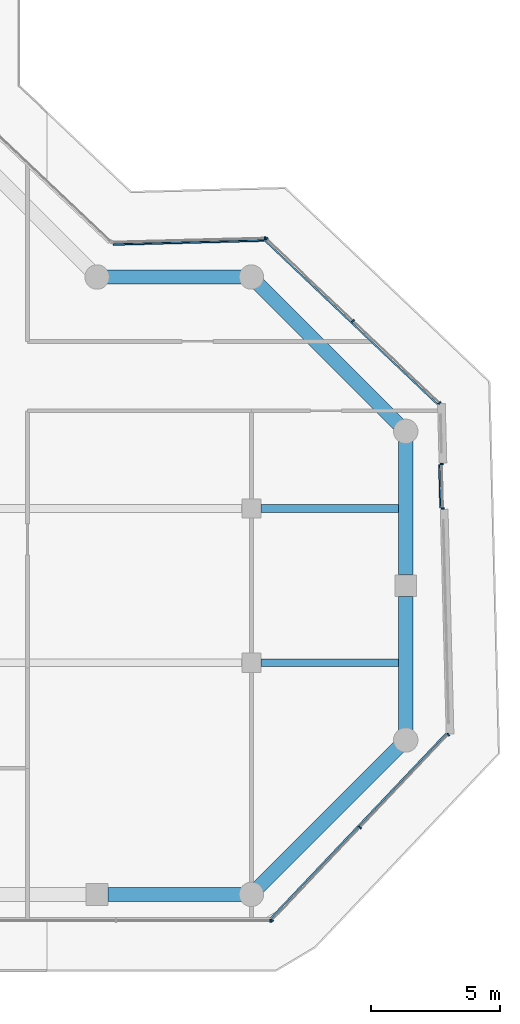
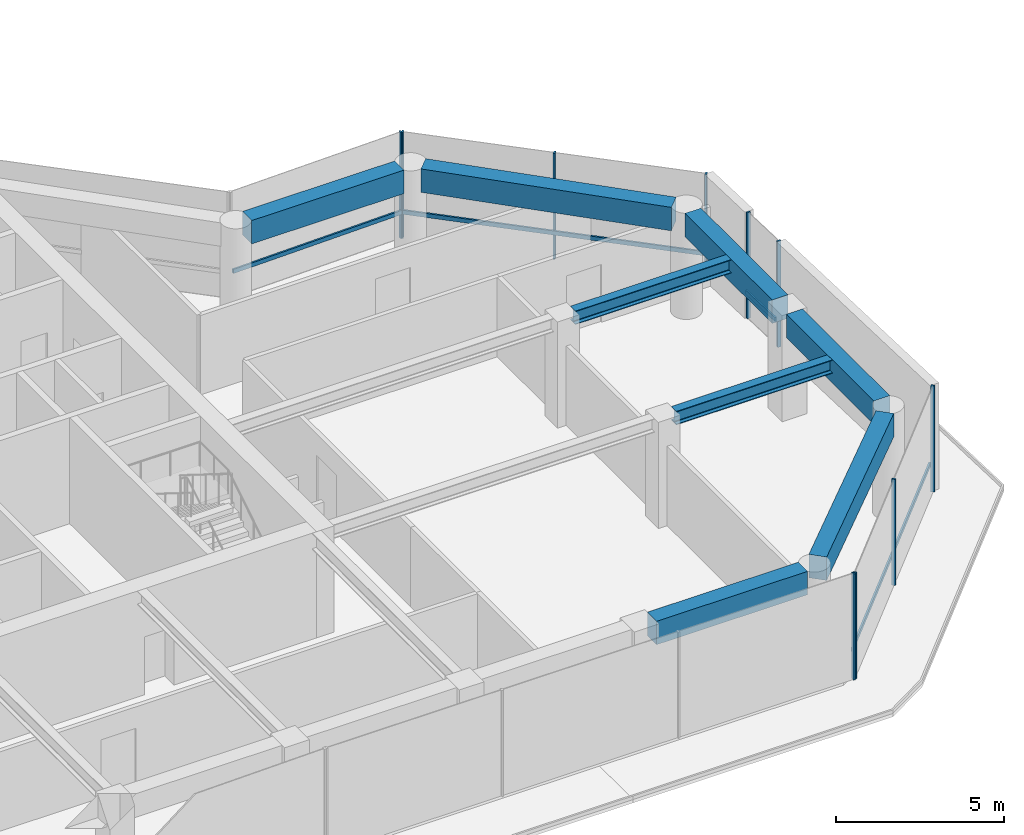
# One storey, part 6 of 20: 14 members, 8 beams, 5 elements without a shape of their own.
"""IFC4 building model written with IfcOpenShell, lengths in metres."""

import ifcopenshell
import ifcopenshell.guid

model = None  # the IFC model being written
_history = None  # IfcOwnerHistory: only IFC2X3 demands one
_inside = {}  # id of a spatial element -> (the spatial element, [elements in it])
_under = {}  # id of a project, library or spatial element -> (it, [spatial elements below it])
_declared = {}  # id of a project -> (the project, [libraries it declares])
_typed = {}  # id of a type object -> (the type object, [elements of that type])
_made_of = {}  # id of a material, layer set ... -> (it, [elements and type objects made of it])


def new_model(schema):
    """Start an empty IFC model of exactly this schema.

    Asked for "IFC4X3", IfcOpenShell would pick the latest addendum, in which some entities
    have other attributes; the version numbers below select the first issue.
    IFC2X3 requires an IfcOwnerHistory on every rooted entity: one is made here for all.
    """
    global model, _history
    if schema == "IFC4X3":
        model = ifcopenshell.file(schema_version=(4, 3, 0, 0))
    else:
        model = ifcopenshell.file(schema=schema)
    _inside.clear()
    _under.clear()
    _declared.clear()
    _typed.clear()
    _made_of.clear()
    _history = None
    if model.schema == "IFC2X3":
        org = make("IfcOrganization", Name="unknown")
        user = make(
            "IfcPersonAndOrganization",
            ThePerson=make("IfcPerson", FamilyName="unknown"),
            TheOrganization=org,
        )
        app = make(
            "IfcApplication",
            ApplicationDeveloper=org,
            Version="unknown",
            ApplicationFullName="unknown",
            ApplicationIdentifier="unknown",
        )
        _history = make(
            "IfcOwnerHistory",
            OwningUser=user,
            OwningApplication=app,
            ChangeAction="ADDED",
            CreationDate=0,
        )
    return model


def make(cls, **values):
    """One entity of the class cls with the attributes given. An attribute that is None is left unset."""
    return model.create_entity(
        cls, **{name: value for name, value in values.items() if value is not None}
    )


def rooted(cls, **values):
    """An entity with a GlobalId (a new one), such as an element, a storey or a relation."""
    return make(cls, GlobalId=ifcopenshell.guid.new(), OwnerHistory=_history, **values)


def si_unit(unit_type, name, prefix=None):
    """IfcSIUnit, for example si_unit("LENGTHUNIT", "METRE", prefix="MILLI")."""
    return make("IfcSIUnit", UnitType=unit_type, Prefix=prefix, Name=name)


def assignment(units):
    """IfcUnitAssignment: the units of a project."""
    return None if units is None else make("IfcUnitAssignment", Units=units)


def point(xyz):
    """IfcCartesianPoint."""
    return None if xyz is None else make("IfcCartesianPoint", Coordinates=xyz)


def direction(xyz):
    """IfcDirection."""
    return None if xyz is None else make("IfcDirection", DirectionRatios=xyz)


def frame(location, z_axis=None, x_axis=None):
    """IfcAxis2Placement3D, a coordinate frame: its origin and axes. An axis left out is left unset."""
    return make(
        "IfcAxis2Placement3D",
        Location=point(location),
        Axis=direction(z_axis),
        RefDirection=direction(x_axis),
    )


def frame_2d(location, x_axis=None):
    """IfcAxis2Placement2D, a coordinate frame in the plane: its origin and x axis."""
    return make(
        "IfcAxis2Placement2D", Location=point(location), RefDirection=direction(x_axis)
    )


def origin():
    """The frame at (0, 0, 0) with its axes left unset."""
    return frame((0.0, 0.0, 0.0))


def origin_2d():
    """The frame at (0, 0) in the plane with its x axis left unset."""
    return frame_2d((0.0, 0.0))


def place(relative_to, where):
    """IfcLocalPlacement: puts the frame where relative to a parent placement (None: the world)."""
    return make(
        "IfcLocalPlacement", PlacementRelTo=relative_to, RelativePlacement=where
    )


def context(
    kind, dimensions, precision=None, world=None, true_north=None, identifier=None
):
    """IfcGeometricRepresentationContext, for example the 3D "Model" context."""
    return make(
        "IfcGeometricRepresentationContext",
        ContextIdentifier=identifier,
        ContextType=kind,
        CoordinateSpaceDimension=dimensions,
        Precision=precision,
        WorldCoordinateSystem=world,
        TrueNorth=true_north,
    )


def subcontext(parent, identifier, kind, view, scale=None):
    """IfcGeometricRepresentationSubContext, for example "Body" below "Model"."""
    return make(
        "IfcGeometricRepresentationSubContext",
        ContextIdentifier=identifier,
        ContextType=kind,
        ParentContext=parent,
        TargetScale=scale,
        TargetView=view,
    )


def project(units=None, contexts=None):
    """IfcProject with its units and contexts."""
    return rooted(
        "IfcProject",
        Name="project",
        RepresentationContexts=contexts,
        UnitsInContext=assignment(units),
    )


def spatial(cls, under=None, at=None, **own):
    """A site, building, storey or space (cls), placed at a placement, below another one or the project."""
    s = rooted(cls, ObjectPlacement=at, **own)
    if under is not None:
        _under.setdefault(under.id(), (under, []))[1].append(s)
    return s


def profile(cls, at=None, kind="AREA", **sizes):
    """A parametric profile (cls). Its sizes go by their IFC names, for example OverallWidth=200.0."""
    return make(cls, ProfileType=kind, Position=at, **sizes)


def rectangle(**sizes):
    """IfcRectangleProfileDef."""
    return profile("IfcRectangleProfileDef", **sizes)


def i_section(**sizes):
    """IfcIShapeProfileDef."""
    return profile("IfcIShapeProfileDef", **sizes)


def extrude(swept, where, along, depth):
    """IfcExtrudedAreaSolid: the profile swept, set in the frame where, extruded along a direction by depth."""
    return make(
        "IfcExtrudedAreaSolid",
        SweptArea=swept,
        Position=where,
        ExtrudedDirection=direction(along),
        Depth=depth,
    )


def shape(context_of_items, identifier, shape_type, items):
    """IfcShapeRepresentation: the items that make up one representation, for example the "Body"."""
    return make(
        "IfcShapeRepresentation",
        ContextOfItems=context_of_items,
        RepresentationIdentifier=identifier,
        RepresentationType=shape_type,
        Items=items,
    )


def material(Name=None, Category=None):
    """IfcMaterial."""
    return make("IfcMaterial", Name=Name, Category=Category)


def layer(
    of_material, thickness, ventilated=None, Name=None, Category=None, Priority=None
):
    """IfcMaterialLayer: one layer of a wall or slab, of a material (None: an air gap)."""
    return make(
        "IfcMaterialLayer",
        Material=of_material,
        LayerThickness=thickness,
        IsVentilated=ventilated,
        Name=Name,
        Category=Category,
        Priority=Priority,
    )


def layer_set(layers, Name=None):
    """IfcMaterialLayerSet."""
    return make("IfcMaterialLayerSet", MaterialLayers=layers, LayerSetName=Name)


def material_profile(
    of_material, cross_section, Name=None, Category=None, Priority=None
):
    """IfcMaterialProfile: a cross section and its material."""
    return make(
        "IfcMaterialProfile",
        Name=Name,
        Material=of_material,
        Profile=cross_section,
        Priority=Priority,
        Category=Category,
    )


def profile_set(profiles, Name=None, composite=None):
    """IfcMaterialProfileSet."""
    return make(
        "IfcMaterialProfileSet",
        Name=Name,
        MaterialProfiles=profiles,
        CompositeProfile=composite,
    )


def made_of(thing, what):
    """Note that an element or type object is made of a material, layer set ...; save() writes the relation."""
    if what is not None:
        _made_of.setdefault(what.id(), (what, []))[1].append(thing)
    return thing


def type_object(cls, material=None, **own):
    """A type object (cls), such as IfcWallType, which elements share."""
    return made_of(rooted(cls, **own), material)


def element(
    cls,
    number,
    at=None,
    inside=None,
    cuts=None,
    type_object=None,
    material=None,
    context=None,
    identifier="Body",
    shape_type=None,
    held_by="IfcProductDefinitionShape",
    body=None,
    shapes=None,
    **own,
):
    """One element of the class cls, such as IfcWall. Its Tag is "e" and its number.

    at: its placement. inside: the storey or other place that contains it. cuts: it is an
    opening in that element (IfcRelVoidsElement). A single representation is given by context,
    identifier, shape_type and body (its items); several are given by shapes. held_by: the class
    of the entity that holds the representations. save() writes the other relations.
    """
    e = rooted(cls, Tag="e%d" % number, ObjectPlacement=at, **own)
    if body is not None:
        shapes = [shape(context, identifier, shape_type, body)]
    if shapes is not None:
        e.Representation = make(held_by, Representations=shapes)
    if inside is not None:
        _inside.setdefault(inside.id(), (inside, []))[1].append(e)
    if cuts is not None:
        rooted(
            "IfcRelVoidsElement", RelatingBuildingElement=cuts, RelatedOpeningElement=e
        )
    if type_object is not None:
        _typed.setdefault(type_object.id(), (type_object, []))[1].append(e)
    return made_of(e, material)


def aggregate(whole, parts):
    """IfcRelAggregates: a whole, such as a stair, and the parts it consists of."""
    return rooted("IfcRelAggregates", RelatingObject=whole, RelatedObjects=parts)


def save(model, path):
    """Write the relations noted so far, then the file.

    IfcRelAggregates (storeys below a building ...), IfcRelContainedInSpatialStructure (elements
    in a storey), IfcRelDefinesByType, IfcRelAssociatesMaterial and IfcRelDeclares: one each for
    every whole, place, type object, material and project.
    """
    for whole, parts in _under.values():
        aggregate(whole, parts)
    for where, things in _inside.values():
        rooted(
            "IfcRelContainedInSpatialStructure",
            RelatedElements=things,
            RelatingStructure=where,
        )
    for kind, things in _typed.values():
        rooted("IfcRelDefinesByType", RelatedObjects=things, RelatingType=kind)
    for what, things in _made_of.values():
        rooted("IfcRelAssociatesMaterial", RelatedObjects=things, RelatingMaterial=what)
    for by, libraries in _declared.values():
        rooted("IfcRelDeclares", RelatingContext=by, RelatedDefinitions=libraries)
    model.write(path)


model = new_model("IFC4")

# Units and contexts
model_context = context("Model", 3, precision=1e-05, world=origin(), true_north=direction((0.0, 1.0)))
body_context = subcontext(model_context, "Body", "Model", "MODEL_VIEW")
ifc_project = project(units=[si_unit("LENGTHUNIT", "METRE"), si_unit("AREAUNIT", "SQUARE_METRE"), si_unit("VOLUMEUNIT", "CUBIC_METRE"), si_unit("PLANEANGLEUNIT", "RADIAN"), si_unit("MASSUNIT", "GRAM", prefix="KILO")], contexts=[model_context])

# Site, building, storey
site_placement = place(None, origin())
site = spatial("IfcSite", under=ifc_project, at=site_placement, CompositionType="ELEMENT")
building_placement = place(site_placement, origin())
building = spatial("IfcBuilding", under=site, at=building_placement, Name="Welwitschia Terrace Campus", CompositionType="ELEMENT")
storey_placement = place(building_placement, frame((0.0, 0.0, 176.0)))
storey = spatial("IfcBuildingStorey", under=building, at=storey_placement, Name="L39", CompositionType="ELEMENT", Elevation=176.0)

# Beams
ifc_material_1 = material(Name="Steel S355", Category="steel")
ifc_material_profile_1 = material_profile(ifc_material_1, i_section(OverallWidth=0.300048828125, OverallDepth=0.489990234375, WebThickness=0.011962890625, FlangeThickness=0.02294921875, FilletRadius=0.027099609375, at=origin_2d()))
ifc_profile_set_1 = profile_set([ifc_material_profile_1], Name="Steel S355")
beam_type_1 = type_object("IfcBeamType", Name="Interior girder HE 500 A", PredefinedType="BEAM", material=ifc_profile_set_1)
for number, where, z_axis, x_axis, name in (
    (1, (36.37548828125, 5.0, 3.60498046875), (1.0, 0.0, 0.0), (0.0, 1.0, 0.0), "Girder GB4"),
    (2, (36.37548828125, 11.0, 3.60498046875), (1.0, 0.0, 0.0), (0.0, 1.0, 0.0), "Girder GB4"),
):
    element("IfcBeam", number, at=place(storey_placement, frame(where, z_axis=z_axis, x_axis=x_axis)), inside=storey, type_object=beam_type_1, Name=name, PredefinedType="BEAM", context=body_context, shape_type="SweptSolid", body=[
        extrude(i_section(OverallWidth=0.300048828125, OverallDepth=0.489990234375, WebThickness=0.011962890625, FlangeThickness=0.02294921875, FilletRadius=0.027099609375, at=origin_2d()), origin(), (0.0, 0.0, 1.0), 5.634521484375),
    ])

# Curtain wall, member
ifc_material_2 = material(Name="Bronze anodised aluminium", Category="aluminium")
ifc_layer = layer(ifc_material_2, 0.1201171875)
ifc_layer_set = layer_set([ifc_layer], Name="Bronze anodised aluminium")
curtain_wall_type = type_object("IfcCurtainWallType", Name="Curtain wall CW2 tower 6000", PredefinedType="NOTDEFINED", material=ifc_layer_set)
curtain_wall_1_placement = place(storey_placement, origin())
curtain_wall_1 = element("IfcCurtainWall", 3, at=curtain_wall_1_placement, inside=storey, type_object=curtain_wall_type, Name="CW L39.3.0", PredefinedType="NOTDEFINED")
ifc_material_3 = material(Name="Bronze anodised aluminium", Category="aluminium")
ifc_material_profile_2 = material_profile(ifc_material_3, rectangle(XDim=0.1201171875, YDim=0.06005859375, at=origin_2d()))
ifc_profile_set_2 = profile_set([ifc_material_profile_2], Name="Bronze anodised aluminium")
member_type_1 = type_object("IfcMemberType", Name="Mullion 60x120", PredefinedType="MULLION", material=ifc_profile_set_2)
member_1_placement = place(storey_placement, frame((36.751708984375, -5.030029296875, 0.0), z_axis=(0.0, 0.0, 1.0), x_axis=(0.0, 1.0, 0.0)))
member_1 = element("IfcMember", 4, at=member_1_placement, type_object=member_type_1, Name="Mullion L39.3.0.3", PredefinedType="MULLION", context=body_context, shape_type="SweptSolid", body=[
    extrude(rectangle(XDim=0.1201171875, YDim=0.06005859375, at=origin_2d()), origin(), (0.0, 0.0, 1.0), 3.85009765625),
])
aggregate(curtain_wall_1, [member_1])

# Curtain wall, members
curtain_wall_2_placement = place(storey_placement, origin())
curtain_wall_2 = element("IfcCurtainWall", 5, at=curtain_wall_2_placement, inside=storey, type_object=curtain_wall_type, Name="CW L39.4.0", PredefinedType="NOTDEFINED")
member_2_placement = place(storey_placement, frame((36.802490234375, -5.00830078125, 0.0), z_axis=(0.0, 0.0, 1.0), x_axis=(-0.725374371012, 0.688354575694, 0.0)))
member_2 = element("IfcMember", 6, at=member_2_placement, type_object=member_type_1, Name="Mullion L39.4.0.0", PredefinedType="MULLION", context=body_context, shape_type="SweptSolid", body=[
    extrude(rectangle(XDim=0.1201171875, YDim=0.06005859375, at=origin_2d()), origin(), (0.0, 0.0, 1.0), 3.85009765625),
])
member_3_placement = place(storey_placement, frame((40.227294921875, -1.399169921875, 0.0), z_axis=(0.0, 0.0, 1.0), x_axis=(-0.725374371012, 0.688354575694, 0.0)))
member_3 = element("IfcMember", 7, at=member_3_placement, type_object=member_type_1, Name="Mullion L39.4.0.1", PredefinedType="MULLION", context=body_context, shape_type="SweptSolid", body=[
    extrude(rectangle(XDim=0.1201171875, YDim=0.06005859375, at=origin_2d()), origin(), (0.0, 0.0, 1.0), 3.85009765625),
])
member_4_placement = place(storey_placement, frame((43.652099609375, 2.209716796875, 0.0), z_axis=(0.0, 0.0, 1.0), x_axis=(-0.725374371012, 0.688354575694, 0.0)))
member_4 = element("IfcMember", 8, at=member_4_placement, type_object=member_type_1, Name="Mullion L39.4.0.2", PredefinedType="MULLION", context=body_context, shape_type="SweptSolid", body=[
    extrude(rectangle(XDim=0.1201171875, YDim=0.06005859375, at=origin_2d()), origin(), (0.0, 0.0, 1.0), 3.85009765625),
])

curtain_wall_3_placement = place(storey_placement, origin())
curtain_wall_3 = element("IfcCurtainWall", 9, at=curtain_wall_3_placement, inside=storey, type_object=curtain_wall_type, Name="CW L39.5.S0", PredefinedType="NOTDEFINED")
member_5_placement = place(storey_placement, frame((43.443115234375, 10.99853515625, 0.0), z_axis=(0.0, 0.0, 1.0), x_axis=(-0.999657324976, -0.026176948308, 0.0)))
member_5 = element("IfcMember", 10, at=member_5_placement, type_object=member_type_1, Name="Mullion L39.5.S0.0", PredefinedType="MULLION", context=body_context, shape_type="SweptSolid", body=[
    extrude(rectangle(XDim=0.1201171875, YDim=0.06005859375, at=origin_2d()), origin(), (0.0, 0.0, 1.0), 3.85009765625),
])
member_6_placement = place(storey_placement, frame((43.3974609375, 12.73779296875, 0.0), z_axis=(0.0, 0.0, 1.0), x_axis=(-0.999657324976, -0.026176948308, 0.0)))
member_6 = element("IfcMember", 11, at=member_6_placement, type_object=member_type_1, Name="Mullion L39.5.S0.1", PredefinedType="MULLION", context=body_context, shape_type="SweptSolid", body=[
    extrude(rectangle(XDim=0.1201171875, YDim=0.06005859375, at=origin_2d()), origin(), (0.0, 0.0, 1.0), 3.85009765625),
])

curtain_wall_4_placement = place(storey_placement, origin())
curtain_wall_4 = element("IfcCurtainWall", 12, at=curtain_wall_4_placement, inside=storey, type_object=curtain_wall_type, Name="CW L39.6.0", PredefinedType="NOTDEFINED")
member_7_placement = place(storey_placement, frame((43.314453125, 15.10107421875, 0.0), z_axis=(0.0, 0.0, 1.0), x_axis=(-0.688354575694, -0.725374371012, 0.0)))
member_7 = element("IfcMember", 13, at=member_7_placement, type_object=member_type_1, Name="Mullion L39.6.0.0", PredefinedType="MULLION", context=body_context, shape_type="SweptSolid", body=[
    extrude(rectangle(XDim=0.1201171875, YDim=0.06005859375, at=origin_2d()), origin(), (0.0, 0.0, 1.0), 3.85009765625),
])
member_8_placement = place(storey_placement, frame((39.94921875, 18.29443359375, 0.0), z_axis=(0.0, 0.0, 1.0), x_axis=(-0.688354575694, -0.725374371012, 0.0)))
member_8 = element("IfcMember", 14, at=member_8_placement, type_object=member_type_1, Name="Mullion L39.6.0.1", PredefinedType="MULLION", context=body_context, shape_type="SweptSolid", body=[
    extrude(rectangle(XDim=0.1201171875, YDim=0.06005859375, at=origin_2d()), origin(), (0.0, 0.0, 1.0), 3.85009765625),
])
member_9_placement = place(storey_placement, frame((36.583984375, 21.488037109375, 0.0), z_axis=(0.0, 0.0, 1.0), x_axis=(-0.688354575694, -0.725374371012, 0.0)))
member_9 = element("IfcMember", 15, at=member_9_placement, type_object=member_type_1, Name="Mullion L39.6.0.2", PredefinedType="MULLION", context=body_context, shape_type="SweptSolid", body=[
    extrude(rectangle(XDim=0.1201171875, YDim=0.06005859375, at=origin_2d()), origin(), (0.0, 0.0, 1.0), 3.85009765625),
])

# Curtain wall, member
curtain_wall_5_placement = place(storey_placement, origin())
curtain_wall_5 = element("IfcCurtainWall", 16, at=curtain_wall_5_placement, inside=storey, type_object=curtain_wall_type, Name="CW L39.7.0", PredefinedType="NOTDEFINED")
member_10_placement = place(storey_placement, frame((36.5322265625, 21.5078125, 0.0), z_axis=(0.0, 0.0, 1.0), x_axis=(0.026176948308, -0.999657324976, 0.0)))
member_10 = element("IfcMember", 17, at=member_10_placement, type_object=member_type_1, Name="Mullion L39.7.0.0", PredefinedType="MULLION", context=body_context, shape_type="SweptSolid", body=[
    extrude(rectangle(XDim=0.1201171875, YDim=0.06005859375, at=origin_2d()), origin(), (0.0, 0.0, 1.0), 3.85009765625),
])

# Beams
ifc_material_4 = material(Name="Concrete C50/60", Category="concrete")
ifc_material_profile_3 = material_profile(ifc_material_4, rectangle(XDim=0.550048828125, YDim=0.85009765625, at=origin_2d()))
ifc_profile_set_3 = profile_set([ifc_material_profile_3], Name="Concrete C50/60")
beam_type_2 = type_object("IfcBeamType", Name="Ring spandrel 550x850", PredefinedType="SPANDREL", material=ifc_profile_set_3)
beam_1_placement = place(storey_placement, frame((30.425537109375, -4.0, 3.425048828125), z_axis=(1.0, 0.0, 0.0), x_axis=(0.0, 1.0, 0.0)))
element("IfcBeam", 18, at=beam_1_placement, inside=storey, type_object=beam_type_2, Name="Spandrel SP3", PredefinedType="SPANDREL", context=body_context, shape_type="SweptSolid", body=[
    extrude(rectangle(XDim=0.550048828125, YDim=0.85009765625, at=origin_2d()), origin(), (0.0, 0.0, 1.0), 5.1865234375),
])
beam_2_placement = place(storey_placement, frame((36.2744140625, -3.7255859375, 3.425048828125), z_axis=(0.707106781187, 0.707106781187, 0.0), x_axis=(-0.707106781187, 0.707106781187, 0.0)))
element("IfcBeam", 19, at=beam_2_placement, inside=storey, type_object=beam_type_2, Name="Spandrel SP3", PredefinedType="SPANDREL", context=body_context, shape_type="SweptSolid", body=[
    extrude(rectangle(XDim=0.550048828125, YDim=0.85009765625, at=origin_2d()), origin(), (0.0, 0.0, 1.0), 7.709228515625),
])
for number, where, z_axis, x_axis, name in (
    (20, (42.0, 2.387939453125, 3.425048828125), (0.0, 1.0, 0.0), (-1.0, 0.0, 0.0), "Spandrel SP3"),
    (21, (42.0, 8.425537109375, 3.425048828125), (0.0, 1.0, 0.0), (-1.0, 0.0, 0.0), "Spandrel SP3"),
):
    element("IfcBeam", number, at=place(storey_placement, frame(where, z_axis=z_axis, x_axis=x_axis)), inside=storey, type_object=beam_type_2, Name=name, PredefinedType="SPANDREL", context=body_context, shape_type="SweptSolid", body=[
        extrude(rectangle(XDim=0.550048828125, YDim=0.85009765625, at=origin_2d()), origin(), (0.0, 0.0, 1.0), 5.1865234375),
    ])
beam_3_placement = place(storey_placement, frame((41.7255859375, 14.2744140625, 3.425048828125), z_axis=(-0.707106781187, 0.707106781187, 0.0), x_axis=(-0.707106781187, -0.707106781187, 0.0)))
element("IfcBeam", 22, at=beam_3_placement, inside=storey, type_object=beam_type_2, Name="Spandrel SP3", PredefinedType="SPANDREL", context=body_context, shape_type="SweptSolid", body=[
    extrude(rectangle(XDim=0.550048828125, YDim=0.85009765625, at=origin_2d()), origin(), (0.0, 0.0, 1.0), 7.709228515625),
])
beam_4_placement = place(storey_placement, frame((35.612060546875, 20.0, 3.425048828125), z_axis=(-1.0, 0.0, 0.0), x_axis=(0.0, -1.0, 0.0)))
element("IfcBeam", 23, at=beam_4_placement, inside=storey, type_object=beam_type_2, Name="Spandrel SP3", PredefinedType="SPANDREL", context=body_context, shape_type="SweptSolid", body=[
    extrude(rectangle(XDim=0.550048828125, YDim=0.85009765625, at=origin_2d()), origin(), (0.0, 0.0, 1.0), 5.22412109375),
])

# Member
ifc_material_5 = material(Name="Bronze anodised aluminium", Category="aluminium")
ifc_material_profile_4 = material_profile(ifc_material_5, rectangle(XDim=0.06005859375, YDim=0.14990234375, at=origin_2d()))
ifc_profile_set_4 = profile_set([ifc_material_profile_4], Name="Bronze anodised aluminium")
member_type_2 = type_object("IfcMemberType", Name="Transom 60x150", PredefinedType="USERDEFINED", material=ifc_profile_set_4)
member_11_placement = place(storey_placement, frame((36.7578125, -4.924560546875, 1.0), z_axis=(0.688351696024, 0.725377103706, 0.0), x_axis=(-0.725377103706, 0.688351696024, 0.0)))
member_11 = element("IfcMember", 24, at=member_11_placement, type_object=member_type_2, Name="Transom L39.4.0", ObjectType="TRANSOM", PredefinedType="USERDEFINED", context=body_context, shape_type="SweptSolid", body=[
    extrude(rectangle(XDim=0.06005859375, YDim=0.14990234375, at=origin_2d()), origin(), (0.0, 0.0, 1.0), 9.890869140625),
])

aggregate(curtain_wall_2, [member_2, member_3, member_4, member_11])

member_12_placement = place(storey_placement, frame((43.352294921875, 11.026123046875, 1.0), z_axis=(-0.026157640568, 0.99965783038, 0.0), x_axis=(-0.99965783038, -0.026157640568, 0.0)))
member_12 = element("IfcMember", 25, at=member_12_placement, type_object=member_type_2, Name="Transom L39.5.S0", ObjectType="TRANSOM", PredefinedType="USERDEFINED", context=body_context, shape_type="SweptSolid", body=[
    extrude(rectangle(XDim=0.06005859375, YDim=0.14990234375, at=origin_2d()), origin(), (0.0, 0.0, 1.0), 1.679931640625),
])

aggregate(curtain_wall_3, [member_5, member_6, member_12])

member_13_placement = place(storey_placement, frame((43.230712890625, 15.056396484375, 1.0), z_axis=(-0.725363666548, 0.688365855669, 0.0), x_axis=(-0.688365855669, -0.725363666548, 0.0)))
member_13 = element("IfcMember", 26, at=member_13_placement, type_object=member_type_2, Name="Transom L39.6.0", ObjectType="TRANSOM", PredefinedType="USERDEFINED", context=body_context, shape_type="SweptSolid", body=[
    extrude(rectangle(XDim=0.06005859375, YDim=0.14990234375, at=origin_2d()), origin(), (0.0, 0.0, 1.0), 9.218505859375),
])

aggregate(curtain_wall_4, [member_7, member_8, member_9, member_13])

member_14_placement = place(storey_placement, frame((36.504638671875, 21.4169921875, 1.0), z_axis=(-0.999657816175, -0.026158183427, 0.0), x_axis=(0.026158183427, -0.999657816175, 0.0)))
member_14 = element("IfcMember", 27, at=member_14_placement, type_object=member_type_2, Name="Transom L39.7.0", ObjectType="TRANSOM", PredefinedType="USERDEFINED", context=body_context, shape_type="SweptSolid", body=[
    extrude(rectangle(XDim=0.06005859375, YDim=0.14990234375, at=origin_2d()), origin(), (0.0, 0.0, 1.0), 5.8798828125),
])

aggregate(curtain_wall_5, [member_10, member_14])

save(model, "model.ifc")
